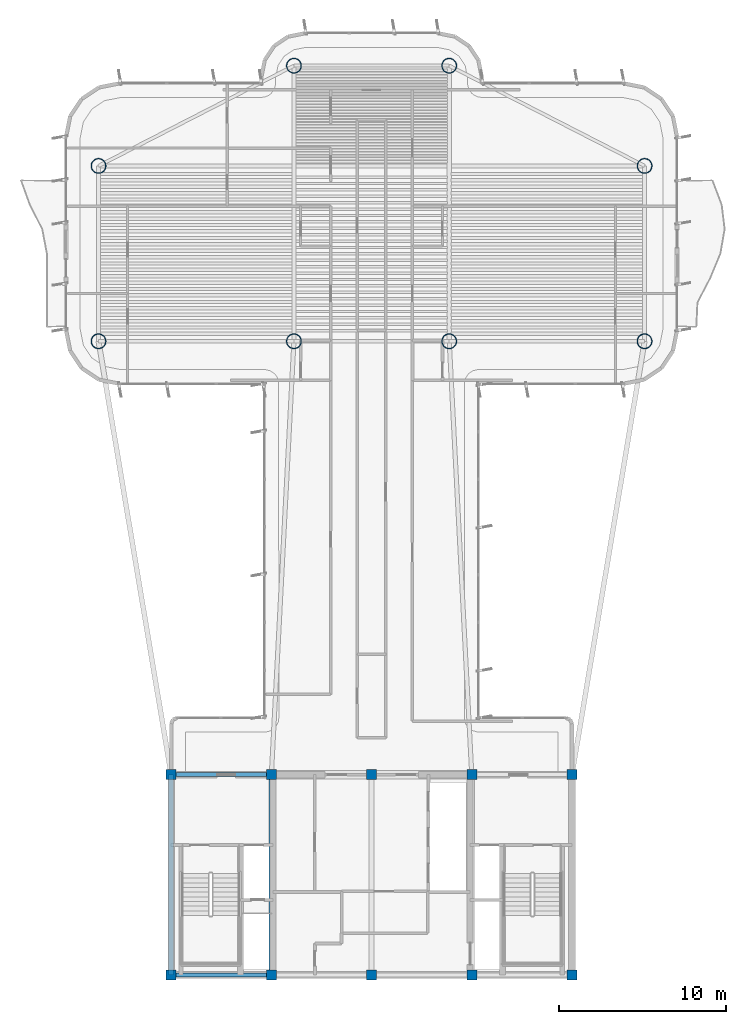
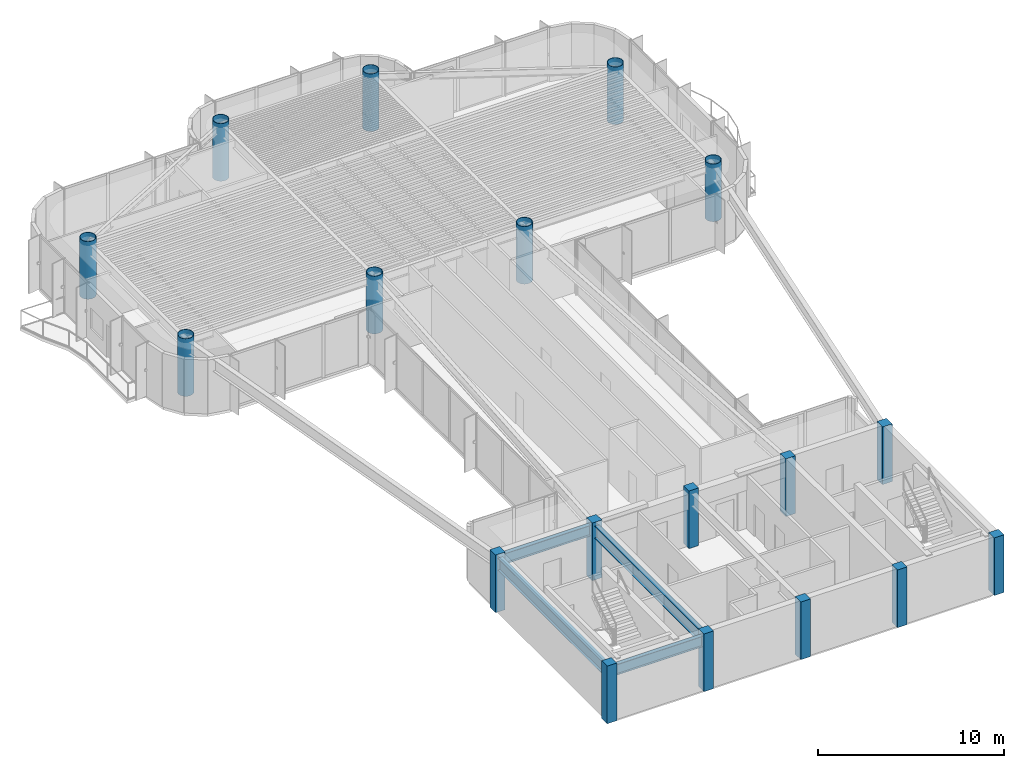
# One storey, part 1 of 15: 18 columns, 4 beams.
"""IFC4 building model written with IfcOpenShell, lengths in metres."""

import ifcopenshell
import ifcopenshell.guid

model = None  # the IFC model being written
_history = None  # IfcOwnerHistory: only IFC2X3 demands one
_inside = {}  # id of a spatial element -> (the spatial element, [elements in it])
_under = {}  # id of a project, library or spatial element -> (it, [spatial elements below it])
_declared = {}  # id of a project -> (the project, [libraries it declares])
_typed = {}  # id of a type object -> (the type object, [elements of that type])
_made_of = {}  # id of a material, layer set ... -> (it, [elements and type objects made of it])


def new_model(schema):
    """Start an empty IFC model of exactly this schema.

    Asked for "IFC4X3", IfcOpenShell would pick the latest addendum, in which some entities
    have other attributes; the version numbers below select the first issue.
    IFC2X3 requires an IfcOwnerHistory on every rooted entity: one is made here for all.
    """
    global model, _history
    if schema == "IFC4X3":
        model = ifcopenshell.file(schema_version=(4, 3, 0, 0))
    else:
        model = ifcopenshell.file(schema=schema)
    _inside.clear()
    _under.clear()
    _declared.clear()
    _typed.clear()
    _made_of.clear()
    _history = None
    if model.schema == "IFC2X3":
        org = make("IfcOrganization", Name="unknown")
        user = make(
            "IfcPersonAndOrganization",
            ThePerson=make("IfcPerson", FamilyName="unknown"),
            TheOrganization=org,
        )
        app = make(
            "IfcApplication",
            ApplicationDeveloper=org,
            Version="unknown",
            ApplicationFullName="unknown",
            ApplicationIdentifier="unknown",
        )
        _history = make(
            "IfcOwnerHistory",
            OwningUser=user,
            OwningApplication=app,
            ChangeAction="ADDED",
            CreationDate=0,
        )
    return model


def make(cls, **values):
    """One entity of the class cls with the attributes given. An attribute that is None is left unset."""
    return model.create_entity(
        cls, **{name: value for name, value in values.items() if value is not None}
    )


def rooted(cls, **values):
    """An entity with a GlobalId (a new one), such as an element, a storey or a relation."""
    return make(cls, GlobalId=ifcopenshell.guid.new(), OwnerHistory=_history, **values)


def si_unit(unit_type, name, prefix=None):
    """IfcSIUnit, for example si_unit("LENGTHUNIT", "METRE", prefix="MILLI")."""
    return make("IfcSIUnit", UnitType=unit_type, Prefix=prefix, Name=name)


def assignment(units):
    """IfcUnitAssignment: the units of a project."""
    return None if units is None else make("IfcUnitAssignment", Units=units)


def point(xyz):
    """IfcCartesianPoint."""
    return None if xyz is None else make("IfcCartesianPoint", Coordinates=xyz)


def direction(xyz):
    """IfcDirection."""
    return None if xyz is None else make("IfcDirection", DirectionRatios=xyz)


def frame(location, z_axis=None, x_axis=None):
    """IfcAxis2Placement3D, a coordinate frame: its origin and axes. An axis left out is left unset."""
    return make(
        "IfcAxis2Placement3D",
        Location=point(location),
        Axis=direction(z_axis),
        RefDirection=direction(x_axis),
    )


def frame_2d(location, x_axis=None):
    """IfcAxis2Placement2D, a coordinate frame in the plane: its origin and x axis."""
    return make(
        "IfcAxis2Placement2D", Location=point(location), RefDirection=direction(x_axis)
    )


def origin():
    """The frame at (0, 0, 0) with its axes left unset."""
    return frame((0.0, 0.0, 0.0))


def origin_2d():
    """The frame at (0, 0) in the plane with its x axis left unset."""
    return frame_2d((0.0, 0.0))


def place(relative_to, where):
    """IfcLocalPlacement: puts the frame where relative to a parent placement (None: the world)."""
    return make(
        "IfcLocalPlacement", PlacementRelTo=relative_to, RelativePlacement=where
    )


def context(
    kind, dimensions, precision=None, world=None, true_north=None, identifier=None
):
    """IfcGeometricRepresentationContext, for example the 3D "Model" context."""
    return make(
        "IfcGeometricRepresentationContext",
        ContextIdentifier=identifier,
        ContextType=kind,
        CoordinateSpaceDimension=dimensions,
        Precision=precision,
        WorldCoordinateSystem=world,
        TrueNorth=true_north,
    )


def subcontext(parent, identifier, kind, view, scale=None):
    """IfcGeometricRepresentationSubContext, for example "Body" below "Model"."""
    return make(
        "IfcGeometricRepresentationSubContext",
        ContextIdentifier=identifier,
        ContextType=kind,
        ParentContext=parent,
        TargetScale=scale,
        TargetView=view,
    )


def project(units=None, contexts=None):
    """IfcProject with its units and contexts."""
    return rooted(
        "IfcProject",
        Name="project",
        RepresentationContexts=contexts,
        UnitsInContext=assignment(units),
    )


def spatial(cls, under=None, at=None, **own):
    """A site, building, storey or space (cls), placed at a placement, below another one or the project."""
    s = rooted(cls, ObjectPlacement=at, **own)
    if under is not None:
        _under.setdefault(under.id(), (under, []))[1].append(s)
    return s


def profile(cls, at=None, kind="AREA", **sizes):
    """A parametric profile (cls). Its sizes go by their IFC names, for example OverallWidth=200.0."""
    return make(cls, ProfileType=kind, Position=at, **sizes)


def rectangle(**sizes):
    """IfcRectangleProfileDef."""
    return profile("IfcRectangleProfileDef", **sizes)


def hollow_circle(**sizes):
    """IfcCircleHollowProfileDef."""
    return profile("IfcCircleHollowProfileDef", **sizes)


def i_section(**sizes):
    """IfcIShapeProfileDef."""
    return profile("IfcIShapeProfileDef", **sizes)


def extrude(swept, where, along, depth):
    """IfcExtrudedAreaSolid: the profile swept, set in the frame where, extruded along a direction by depth."""
    return make(
        "IfcExtrudedAreaSolid",
        SweptArea=swept,
        Position=where,
        ExtrudedDirection=direction(along),
        Depth=depth,
    )


def shape(context_of_items, identifier, shape_type, items):
    """IfcShapeRepresentation: the items that make up one representation, for example the "Body"."""
    return make(
        "IfcShapeRepresentation",
        ContextOfItems=context_of_items,
        RepresentationIdentifier=identifier,
        RepresentationType=shape_type,
        Items=items,
    )


def source(mapping_origin, context_of_items, identifier, shape_type, items):
    """IfcRepresentationMap: a shape defined once, which mapped items show again and again."""
    return make(
        "IfcRepresentationMap",
        MappingOrigin=mapping_origin,
        MappedRepresentation=shape(context_of_items, identifier, shape_type, items),
    )


def transform(
    local_origin,
    x_axis=None,
    y_axis=None,
    z_axis=None,
    scale=None,
    scale2=None,
    scale3=None,
    uniform=True,
):
    """IfcCartesianTransformationOperator3D, or its non-uniform kind. x_axis, y_axis, z_axis: its Axis1, 2, 3."""
    if uniform:
        return make(
            "IfcCartesianTransformationOperator3D",
            Axis1=direction(x_axis),
            Axis2=direction(y_axis),
            LocalOrigin=point(local_origin),
            Scale=scale,
            Axis3=direction(z_axis),
        )
    return make(
        "IfcCartesianTransformationOperator3DnonUniform",
        Axis1=direction(x_axis),
        Axis2=direction(y_axis),
        LocalOrigin=point(local_origin),
        Scale=scale,
        Axis3=direction(z_axis),
        Scale2=scale2,
        Scale3=scale3,
    )


def mapped(mapping_source, mapping_target):
    """IfcMappedItem: shows the shape of a source again, moved by a transform."""
    return make(
        "IfcMappedItem", MappingSource=mapping_source, MappingTarget=mapping_target
    )


def material(Name=None, Category=None):
    """IfcMaterial."""
    return make("IfcMaterial", Name=Name, Category=Category)


def material_profile(
    of_material, cross_section, Name=None, Category=None, Priority=None
):
    """IfcMaterialProfile: a cross section and its material."""
    return make(
        "IfcMaterialProfile",
        Name=Name,
        Material=of_material,
        Profile=cross_section,
        Priority=Priority,
        Category=Category,
    )


def profile_set(profiles, Name=None, composite=None):
    """IfcMaterialProfileSet."""
    return make(
        "IfcMaterialProfileSet",
        Name=Name,
        MaterialProfiles=profiles,
        CompositeProfile=composite,
    )


def made_of(thing, what):
    """Note that an element or type object is made of a material, layer set ...; save() writes the relation."""
    if what is not None:
        _made_of.setdefault(what.id(), (what, []))[1].append(thing)
    return thing


def type_object(cls, material=None, **own):
    """A type object (cls), such as IfcWallType, which elements share."""
    return made_of(rooted(cls, **own), material)


def element(
    cls,
    number,
    at=None,
    inside=None,
    cuts=None,
    type_object=None,
    material=None,
    context=None,
    identifier="Body",
    shape_type=None,
    held_by="IfcProductDefinitionShape",
    body=None,
    shapes=None,
    **own,
):
    """One element of the class cls, such as IfcWall. Its Tag is "e" and its number.

    at: its placement. inside: the storey or other place that contains it. cuts: it is an
    opening in that element (IfcRelVoidsElement). A single representation is given by context,
    identifier, shape_type and body (its items); several are given by shapes. held_by: the class
    of the entity that holds the representations. save() writes the other relations.
    """
    e = rooted(cls, Tag="e%d" % number, ObjectPlacement=at, **own)
    if body is not None:
        shapes = [shape(context, identifier, shape_type, body)]
    if shapes is not None:
        e.Representation = make(held_by, Representations=shapes)
    if inside is not None:
        _inside.setdefault(inside.id(), (inside, []))[1].append(e)
    if cuts is not None:
        rooted(
            "IfcRelVoidsElement", RelatingBuildingElement=cuts, RelatedOpeningElement=e
        )
    if type_object is not None:
        _typed.setdefault(type_object.id(), (type_object, []))[1].append(e)
    return made_of(e, material)


def aggregate(whole, parts):
    """IfcRelAggregates: a whole, such as a stair, and the parts it consists of."""
    return rooted("IfcRelAggregates", RelatingObject=whole, RelatedObjects=parts)


def save(model, path):
    """Write the relations noted so far, then the file.

    IfcRelAggregates (storeys below a building ...), IfcRelContainedInSpatialStructure (elements
    in a storey), IfcRelDefinesByType, IfcRelAssociatesMaterial and IfcRelDeclares: one each for
    every whole, place, type object, material and project.
    """
    for whole, parts in _under.values():
        aggregate(whole, parts)
    for where, things in _inside.values():
        rooted(
            "IfcRelContainedInSpatialStructure",
            RelatedElements=things,
            RelatingStructure=where,
        )
    for kind, things in _typed.values():
        rooted("IfcRelDefinesByType", RelatedObjects=things, RelatingType=kind)
    for what, things in _made_of.values():
        rooted("IfcRelAssociatesMaterial", RelatedObjects=things, RelatingMaterial=what)
    for by, libraries in _declared.values():
        rooted("IfcRelDeclares", RelatingContext=by, RelatedDefinitions=libraries)
    model.write(path)


model = new_model("IFC4")

# Units and contexts
model_context = context("Model", 3, precision=1e-05, world=origin(), true_north=direction((0.0, 1.0)))
body_context = subcontext(model_context, "Body", "Model", "MODEL_VIEW")
ifc_project = project(units=[si_unit("LENGTHUNIT", "METRE"), si_unit("AREAUNIT", "SQUARE_METRE"), si_unit("VOLUMEUNIT", "CUBIC_METRE"), si_unit("PLANEANGLEUNIT", "RADIAN"), si_unit("MASSUNIT", "GRAM", prefix="KILO")], contexts=[model_context])

# Site, building, storey
site_placement = place(None, origin())
site = spatial("IfcSite", under=ifc_project, at=site_placement, CompositionType="ELEMENT")
building_placement = place(site_placement, origin())
building = spatial("IfcBuilding", under=site, at=building_placement, Name="Brelvock Crest Care Tower", CompositionType="ELEMENT")
storey_placement = place(building_placement, frame((0.0, 0.0, 275.93994140625)))
storey = spatial("IfcBuildingStorey", under=building, at=storey_placement, Name="L70", CompositionType="ELEMENT", Elevation=275.93994140625)

# Columns
ifc_material_1 = material(Name="Concrete S65 (65 MPa)", Category="concrete")
ifc_material_profile_1 = material_profile(ifc_material_1, rectangle(XDim=0.60009765625, YDim=0.60009765625, at=origin_2d()), Name="RC600x600")
ifc_profile_set_1 = profile_set([ifc_material_profile_1], Name="Concrete S65 (65 MPa)")
column_type_1 = type_object("IfcColumnType", Name="COL-RC4", PredefinedType="COLUMN", material=ifc_profile_set_1)
shared_shape_1 = source(origin(), body_context, "Body", "SweptSolid", [
    extrude(rectangle(XDim=0.60009765625, YDim=0.60009765625, at=origin_2d()), origin(), (0.0, 0.0, 1.0), 3.780029296875),
])
for number, where, z_axis, x_axis, name in (
    (1, (24.0, 6.0, 0.0), (0.0, 0.0, 1.0), (1.0, 0.0, 0.0), "L70 Core Column CC-01"),
    (2, (30.0, 6.0, 0.0), (0.0, 0.0, 1.0), (1.0, 0.0, 0.0), "L70 Core Column CC-02"),
    (3, (36.0, 6.0, 0.0), (0.0, 0.0, 1.0), (1.0, 0.0, 0.0), "L70 Core Column CC-03"),
    (4, (42.0, 6.0, 0.0), (0.0, 0.0, 1.0), (1.0, 0.0, 0.0), "L70 Core Column CC-04"),
    (5, (48.0, 6.0, 0.0), (0.0, 0.0, 1.0), (1.0, 0.0, 0.0), "L70 Core Column CC-05"),
    (6, (24.0, 18.0, 0.0), (0.0, 0.0, 1.0), (1.0, 0.0, 0.0), "L70 Core Column CC-06"),
    (7, (30.0, 18.0, 0.0), (0.0, 0.0, 1.0), (1.0, 0.0, 0.0), "L70 Core Column CC-07"),
    (8, (36.0, 18.0, 0.0), (0.0, 0.0, 1.0), (1.0, 0.0, 0.0), "L70 Core Column CC-08"),
    (9, (42.0, 18.0, 0.0), (0.0, 0.0, 1.0), (1.0, 0.0, 0.0), "L70 Core Column CC-09"),
    (10, (48.0, 18.0, 0.0), (0.0, 0.0, 1.0), (1.0, 0.0, 0.0), "L70 Core Column CC-10"),
):
    element("IfcColumn", number, at=place(storey_placement, frame(where, z_axis=z_axis, x_axis=x_axis)), inside=storey, type_object=column_type_1, Name=name, PredefinedType="COLUMN", context=body_context, shape_type="MappedRepresentation", body=[
        mapped(shared_shape_1, transform((0.0, 0.0, 0.0), x_axis=(1.0, 0.0, 0.0), y_axis=(0.0, 1.0, 0.0), z_axis=(0.0, 0.0, 1.0), scale=1.0)),
    ])
ifc_material_2 = material(Name="Steel Grade 350", Category="steel")
ifc_material_profile_2 = material_profile(ifc_material_2, hollow_circle(Radius=0.449951171875, WallThickness=0.031982421875, at=origin_2d()), Name="CFT900x32")
ifc_profile_set_2 = profile_set([ifc_material_profile_2], Name="Steel Grade 350")
column_type_2 = type_object("IfcColumnType", Name="COL-MC4", PredefinedType="COLUMN", material=ifc_profile_set_2)
shared_shape_2 = source(origin(), body_context, "Body", "SweptSolid", [
    extrude(hollow_circle(Radius=0.449951171875, WallThickness=0.031982421875, at=origin_2d()), origin(), (0.0, 0.0, 1.0), 3.780029296875),
])
for number, where, z_axis, x_axis, name in (
    (11, (19.64990234375, 43.949951171875, 0.0), (0.0, 0.0, 1.0), (1.0, 0.0, 0.0), "L70 Tower Column M1"),
    (12, (19.64990234375, 54.449951171875, 0.0), (0.0, 0.0, 1.0), (1.0, 0.0, 0.0), "L70 Tower Column M2"),
    (13, (52.35009765625, 43.949951171875, 0.0), (0.0, 0.0, 1.0), (1.0, 0.0, 0.0), "L70 Tower Column M3"),
    (14, (52.35009765625, 54.449951171875, 0.0), (0.0, 0.0, 1.0), (1.0, 0.0, 0.0), "L70 Tower Column M4"),
    (15, (31.35009765625, 43.949951171875, 0.0), (0.0, 0.0, 1.0), (1.0, 0.0, 0.0), "L70 Tower Column M5"),
    (16, (40.64990234375, 43.949951171875, 0.0), (0.0, 0.0, 1.0), (1.0, 0.0, 0.0), "L70 Tower Column M6"),
    (17, (31.35009765625, 60.449951171875, 0.0), (0.0, 0.0, 1.0), (1.0, 0.0, 0.0), "L70 Tower Column M7"),
    (18, (40.64990234375, 60.449951171875, 0.0), (0.0, 0.0, 1.0), (1.0, 0.0, 0.0), "L70 Tower Column M8"),
):
    element("IfcColumn", number, at=place(storey_placement, frame(where, z_axis=z_axis, x_axis=x_axis)), inside=storey, type_object=column_type_2, Name=name, PredefinedType="COLUMN", context=body_context, shape_type="MappedRepresentation", body=[
        mapped(shared_shape_2, transform((0.0, 0.0, 0.0), x_axis=(1.0, 0.0, 0.0), y_axis=(0.0, 1.0, 0.0), z_axis=(0.0, 0.0, 1.0), scale=1.0)),
    ])

# Beams
ifc_material_profile_3 = material_profile(ifc_material_2, i_section(OverallWidth=0.25, OverallDepth=0.699951171875, WebThickness=0.011962890625, FlangeThickness=0.02001953125, at=origin_2d()), Name="700WB150")
ifc_profile_set_3 = profile_set([ifc_material_profile_3], Name="Steel Grade 350")
beam_type_1 = type_object("IfcBeamType", Name="BM-G4", PredefinedType="BEAM", material=ifc_profile_set_3)
shared_shape_3 = source(origin(), body_context, "Body", "SweptSolid", [
    extrude(i_section(OverallWidth=0.25, OverallDepth=0.699951171875, WebThickness=0.011962890625, FlangeThickness=0.02001953125, at=origin_2d()), origin(), (0.0, 0.0, 1.0), 6.0),
])
for number, where, z_axis, x_axis, name in (
    (19, (24.0, 6.0, 3.18017578125), (1.0, 0.0, 0.0), (0.0, 1.0, 0.0), "BM-CORES-L70-1"),
    (20, (24.0, 18.0, 3.18017578125), (1.0, 0.0, 0.0), (0.0, 1.0, 0.0), "BM-COREN-L70-1"),
):
    element("IfcBeam", number, at=place(storey_placement, frame(where, z_axis=z_axis, x_axis=x_axis)), inside=storey, type_object=beam_type_1, Name=name, PredefinedType="BEAM", context=body_context, shape_type="MappedRepresentation", body=[
        mapped(shared_shape_3, transform((0.0, 0.0, 0.0), x_axis=(1.0, 0.0, 0.0), y_axis=(0.0, 1.0, 0.0), z_axis=(0.0, 0.0, 1.0), scale=1.0)),
    ])
ifc_material_profile_4 = material_profile(ifc_material_2, i_section(OverallWidth=0.300048828125, OverallDepth=0.800048828125, WebThickness=0.013916015625, FlangeThickness=0.02197265625, at=origin_2d()), Name="800WB192")
ifc_profile_set_4 = profile_set([ifc_material_profile_4], Name="Steel Grade 350")
beam_type_2 = type_object("IfcBeamType", Name="BM-G5", PredefinedType="BEAM", material=ifc_profile_set_4)
shared_shape_4 = source(origin(), body_context, "Body", "SweptSolid", [
    extrude(i_section(OverallWidth=0.300048828125, OverallDepth=0.800048828125, WebThickness=0.013916015625, FlangeThickness=0.02197265625, at=origin_2d()), origin(), (0.0, 0.0, 1.0), 12.0),
])
for number, where, z_axis, x_axis, name in (
    (21, (24.0, 6.0, 3.130126953125), (0.0, 1.0, 0.0), (-1.0, 0.0, 0.0), "BM-COREX-L70-1"),
    (22, (30.0, 6.0, 3.130126953125), (0.0, 1.0, 0.0), (-1.0, 0.0, 0.0), "BM-COREX-L70-2"),
):
    element("IfcBeam", number, at=place(storey_placement, frame(where, z_axis=z_axis, x_axis=x_axis)), inside=storey, type_object=beam_type_2, Name=name, PredefinedType="BEAM", context=body_context, shape_type="MappedRepresentation", body=[
        mapped(shared_shape_4, transform((0.0, 0.0, 0.0), x_axis=(1.0, 0.0, 0.0), y_axis=(0.0, 1.0, 0.0), z_axis=(0.0, 0.0, 1.0), scale=1.0)),
    ])

save(model, "model.ifc")
